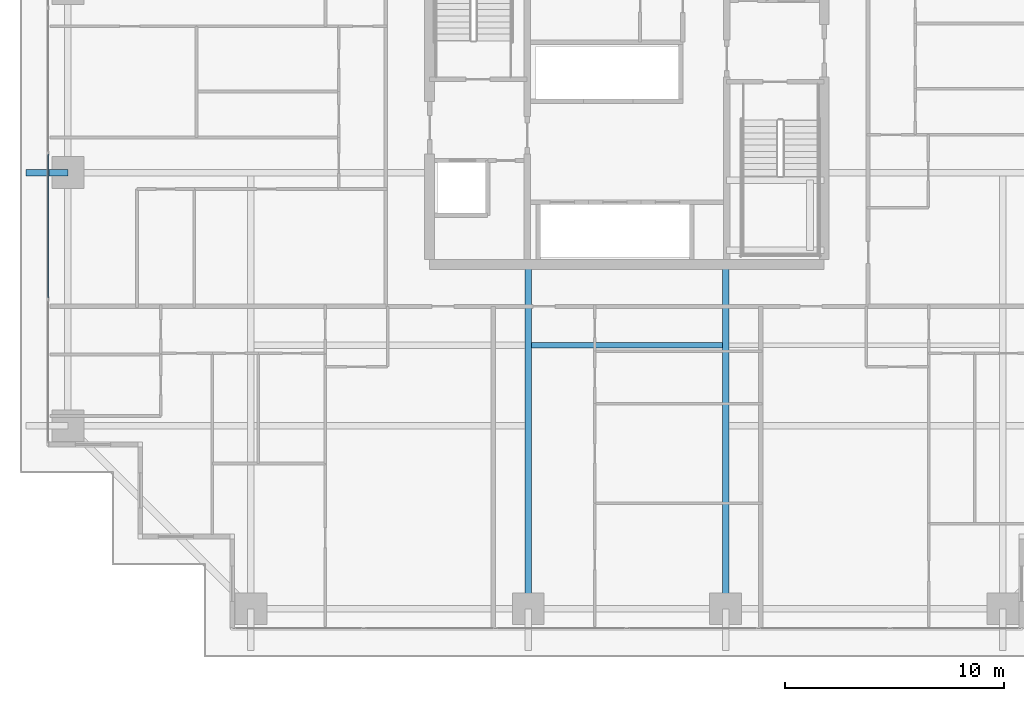
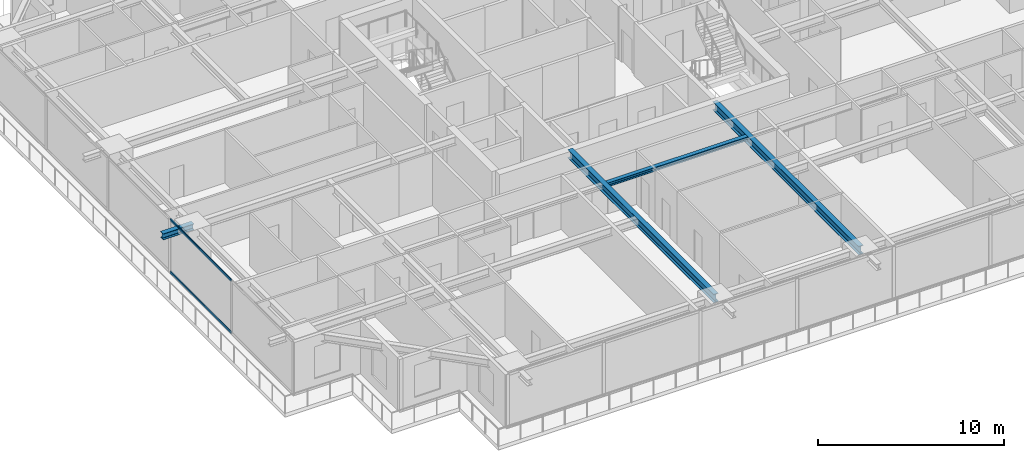
# One storey, part 6 of 37: 4 beams, 2 members, 1 element without a shape of its own.
"""IFC4 building model written with IfcOpenShell, lengths in metres."""

from ifc_helpers import new_model, si_unit, direction, frame, origin, origin_2d, place, context, subcontext, project, spatial, hollow_rectangle, i_section, extrude, source, transform, mapped, material, layer, layer_set, material_profile, profile_set, type_object, element, aggregate, save


model = new_model("IFC4")

# Units and contexts
model_context = context("Model", 3, precision=1e-05, world=origin(), true_north=direction((0.0, 1.0)))
body_context = subcontext(model_context, "Body", "Model", "MODEL_VIEW")
ifc_project = project(units=[si_unit("LENGTHUNIT", "METRE"), si_unit("AREAUNIT", "SQUARE_METRE"), si_unit("VOLUMEUNIT", "CUBIC_METRE"), si_unit("PLANEANGLEUNIT", "RADIAN"), si_unit("MASSUNIT", "GRAM", prefix="KILO")], contexts=[model_context])

# Site, building, storey
site_placement = place(None, origin())
site = spatial("IfcSite", under=ifc_project, at=site_placement, CompositionType="ELEMENT")
building_placement = place(site_placement, origin())
building = spatial("IfcBuilding", under=site, at=building_placement, Name="Serunith Strait Residences", CompositionType="ELEMENT")
storey_placement = place(building_placement, frame((0.0, 0.0, 26.699951171875)))
storey = spatial("IfcBuildingStorey", under=building, at=storey_placement, Name="L05", CompositionType="ELEMENT", Elevation=26.699951171875)

# Beams
ifc_material_1 = material(Name="Steel S355J2", Category="steel")
ifc_material_profile_1 = material_profile(ifc_material_1, i_section(OverallWidth=0.300048828125, OverallDepth=0.550048828125, WebThickness=0.014892578125, FlangeThickness=0.029052734375, FilletRadius=0.027099609375, at=origin_2d()), Name="HEB 550")
ifc_profile_set_1 = profile_set([ifc_material_profile_1], Name="Steel S355J2")
beam_type_1 = type_object("IfcBeamType", Name="BM-HEB550", PredefinedType="BEAM", material=ifc_profile_set_1)
shared_shape_1 = source(origin(), body_context, "Body", "SweptSolid", [
    extrude(i_section(OverallWidth=0.300048828125, OverallDepth=0.550048828125, WebThickness=0.014892578125, FlangeThickness=0.029052734375, FilletRadius=0.027099609375, at=origin_2d()), origin(), (0.0, 0.0, 1.0), 15.699951171875),
])
for number, where, z_axis, x_axis, name in (
    (1, (27.89990234375, 16.800048828125, 3.212158203125), (0.0, -1.0, 0.0), (1.0, 0.0, 0.0), "L05 Primary Floor Girder TC-S2"),
    (2, (36.89990234375, 16.800048828125, 3.212158203125), (0.0, -1.0, 0.0), (1.0, 0.0, 0.0), "L05 Primary Floor Girder TC-S3"),
):
    element("IfcBeam", number, at=place(storey_placement, frame(where, z_axis=z_axis, x_axis=x_axis)), inside=storey, type_object=beam_type_1, Name=name, PredefinedType="BEAM", context=body_context, shape_type="MappedRepresentation", body=[
        mapped(shared_shape_1, transform((0.0, 0.0, 0.0), scale=1.0)),
    ])
ifc_material_profile_2 = material_profile(ifc_material_1, i_section(OverallWidth=0.260009765625, OverallDepth=0.260009765625, WebThickness=0.010009765625, FlangeThickness=0.017578125, FilletRadius=0.02392578125, at=origin_2d()), Name="HEB 260")
ifc_profile_set_2 = profile_set([ifc_material_profile_2], Name="Steel S355J2")
beam_type_2 = type_object("IfcBeamType", Name="BM-HEB260", PredefinedType="JOIST", material=ifc_profile_set_2)
shared_shape_2 = source(origin(), body_context, "Body", "SweptSolid", [
    extrude(i_section(OverallWidth=0.260009765625, OverallDepth=0.260009765625, WebThickness=0.010009765625, FlangeThickness=0.017578125, FilletRadius=0.02392578125, at=origin_2d()), origin(), (0.0, 0.0, 1.0), 8.699951171875),
])
beam_1_placement = place(storey_placement, frame((28.050048828125, 13.125, 3.35693359375), z_axis=(1.0, 0.0, 0.0), x_axis=(0.0, 1.0, 0.0)))
element("IfcBeam", 3, at=beam_1_placement, inside=storey, type_object=beam_type_2, Name="L05 Composite Floor Joist 02", PredefinedType="JOIST", context=body_context, shape_type="MappedRepresentation", body=[
    mapped(shared_shape_2, transform((0.0, 0.0, 0.0), scale=1.0)),
])
ifc_material_profile_3 = material_profile(ifc_material_1, i_section(OverallWidth=0.300048828125, OverallDepth=0.39990234375, WebThickness=0.013427734375, FlangeThickness=0.02392578125, FilletRadius=0.027099609375, at=origin_2d()), Name="HEB 400")
ifc_profile_set_3 = profile_set([ifc_material_profile_3], Name="Steel S355J2")
beam_type_3 = type_object("IfcBeamType", Name="BM-HEB400", PredefinedType="BEAM", material=ifc_profile_set_3)
shared_shape_3 = source(origin(), body_context, "Body", "SweptSolid", [
    extrude(i_section(OverallWidth=0.300048828125, OverallDepth=0.39990234375, WebThickness=0.013427734375, FlangeThickness=0.02392578125, FilletRadius=0.027099609375, at=origin_2d()), origin(), (0.0, 0.0, 1.0), 1.909912109375),
])
beam_2_placement = place(storey_placement, frame((6.89990234375, 21.0, 3.257080078125), z_axis=(-1.0, 0.0, 0.0), x_axis=(0.0, -1.0, 0.0)))
element("IfcBeam", 4, at=beam_2_placement, inside=storey, type_object=beam_type_3, Name="L06 Cantilevered Balcony Rib TC-W2", PredefinedType="BEAM", context=body_context, shape_type="MappedRepresentation", body=[
    mapped(shared_shape_3, transform((0.0, 0.0, 0.0), scale=1.0)),
])

# Curtain wall, members
ifc_material_2 = material(Name="Pale-Champagne Anodised Aluminium", Category="aluminium")
ifc_layer = layer(ifc_material_2, 0.199951171875, Name="Pale-Champagne Anodised Aluminium")
ifc_layer_set = layer_set([ifc_layer], Name="Pale-Champagne Anodised Aluminium")
curtain_wall_type = type_object("IfcCurtainWallType", Name="CW-SYS1", PredefinedType="NOTDEFINED", material=ifc_layer_set)
curtain_wall_placement = place(storey_placement, origin())
curtain_wall = element("IfcCurtainWall", 5, at=curtain_wall_placement, inside=storey, type_object=curtain_wall_type, Name="L05 W Unitised Fritted Curtain Wall", PredefinedType="NOTDEFINED")
ifc_material_profile_4 = material_profile(ifc_material_2, hollow_rectangle(XDim=0.06005859375, YDim=0.159912109375, WallThickness=0.00341796875, InnerFilletRadius=0.00537109375, OuterFilletRadius=0.0087890625, at=origin_2d()), Name="ALU 160x60x3.5")
ifc_profile_set_4 = profile_set([ifc_material_profile_4], Name="Pale-Champagne Anodised Aluminium")
member_type = type_object("IfcMemberType", Name="CW-SYS1-TRAN", PredefinedType="USERDEFINED", material=ifc_profile_set_4)
shared_shape_4 = source(origin(), body_context, "Body", "SweptSolid", [
    extrude(hollow_rectangle(XDim=0.06005859375, YDim=0.159912109375, WallThickness=0.00341796875, InnerFilletRadius=0.00537109375, OuterFilletRadius=0.0087890625, at=origin_2d()), origin(), (0.0, 0.0, 1.0), 6.570068359375),
])
member_1_placement = place(storey_placement, frame((6.0, 21.844970703125, 0.030029296875), z_axis=(0.0, -1.0, 0.0), x_axis=(1.0, 0.0, 0.0)))
member_1 = element("IfcMember", 6, at=member_1_placement, type_object=member_type, Name="CW-1 transom 4.1", ObjectType="TRANSOM", PredefinedType="USERDEFINED", context=body_context, shape_type="MappedRepresentation", body=[
    mapped(shared_shape_4, transform((0.0, 0.0, 0.0), scale=1.0)),
])
member_2_placement = place(storey_placement, frame((6.0, 21.844970703125, 3.445068359375), z_axis=(0.0, -1.0, 0.0), x_axis=(1.0, 0.0, 0.0)))
member_2 = element("IfcMember", 7, at=member_2_placement, type_object=member_type, Name="CW-1 transom 4.2", ObjectType="TRANSOM", PredefinedType="USERDEFINED", context=body_context, shape_type="MappedRepresentation", body=[
    mapped(shared_shape_4, transform((0.0, 0.0, 0.0), scale=1.0)),
])
aggregate(curtain_wall, [member_1, member_2])

save(model, "model.ifc")
